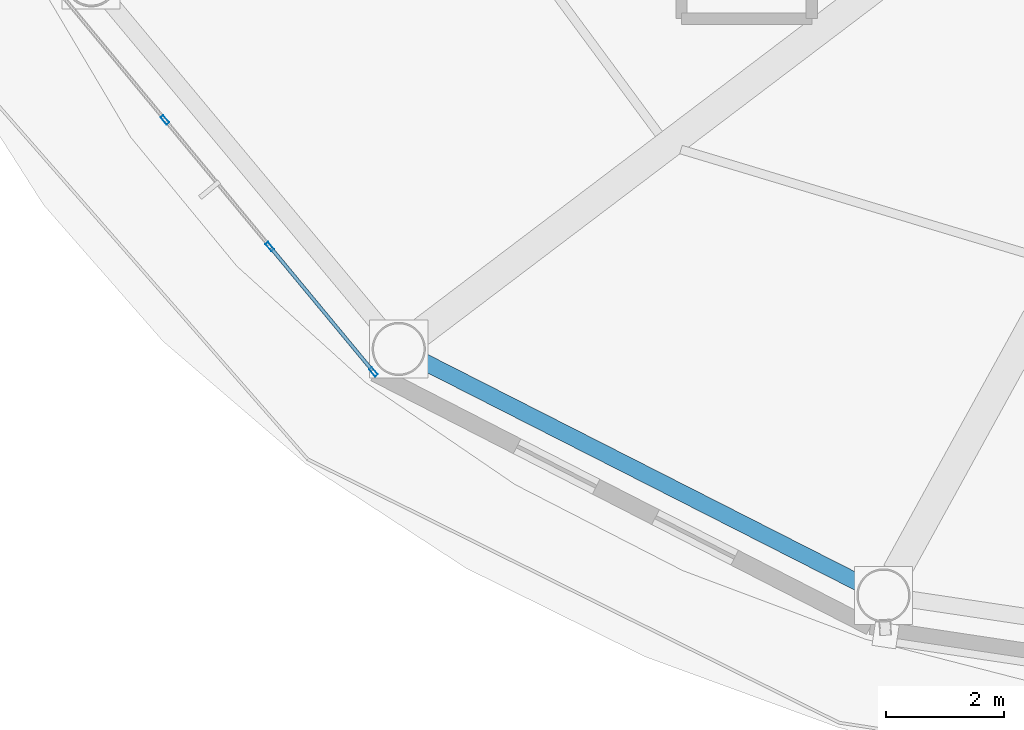
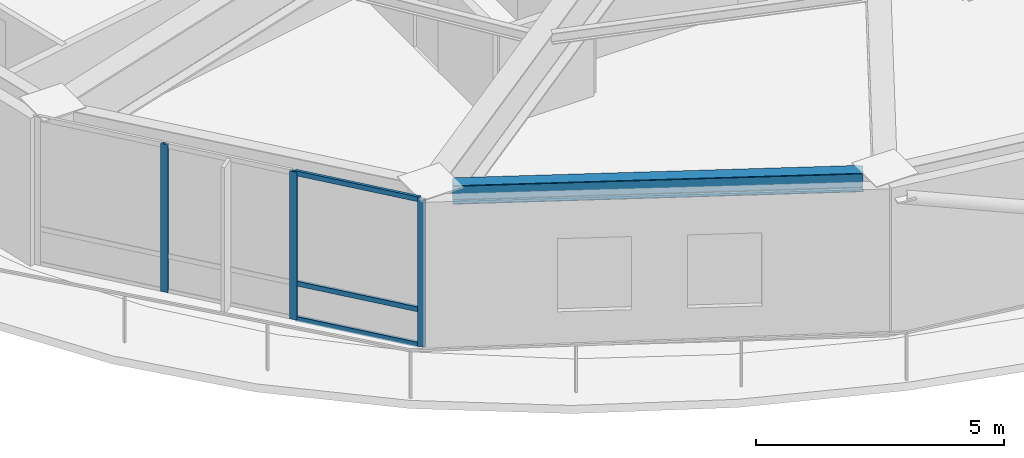
# One storey, part 2 of 24: 6 members, 1 beam, 1 element without a shape of its own.
"""IFC4 building model written with IfcOpenShell, lengths in metres."""

from ifc_helpers import new_model, si_unit, direction, frame, origin, origin_2d, place, context, subcontext, project, spatial, hollow_rectangle, i_section, extrude, material, layer, layer_set, material_profile, profile_set, type_object, element, aggregate, save


model = new_model("IFC4")

# Units and contexts
model_context = context("Model", 3, precision=1e-05, world=origin(), true_north=direction((0.0, 1.0)))
body_context = subcontext(model_context, "Body", "Model", "MODEL_VIEW")
ifc_project = project(units=[si_unit("LENGTHUNIT", "METRE"), si_unit("AREAUNIT", "SQUARE_METRE"), si_unit("VOLUMEUNIT", "CUBIC_METRE"), si_unit("PLANEANGLEUNIT", "RADIAN"), si_unit("MASSUNIT", "GRAM", prefix="KILO")], contexts=[model_context])

# Site, building, storey
site_placement = place(None, origin())
site = spatial("IfcSite", under=ifc_project, at=site_placement, CompositionType="ELEMENT")
building_placement = place(site_placement, origin())
building = spatial("IfcBuilding", under=site, at=building_placement, Name="Sarneth Arch Tower", CompositionType="ELEMENT")
storey_placement = place(building_placement, frame((0.0, 0.0, 312.60009765625)))
storey = spatial("IfcBuildingStorey", under=building, at=storey_placement, Name="L81", CompositionType="ELEMENT", Elevation=312.60009765625)

# Beam
ifc_material_1 = material(Name="Steel S355", Category="steel")
ifc_material_profile_1 = material_profile(ifc_material_1, i_section(OverallWidth=0.280029296875, OverallDepth=0.462890625, WebThickness=0.0107421875, FlangeThickness=0.017333984375, FilletRadius=0.01806640625, at=origin_2d()), Name="W460x113")
ifc_profile_set_1 = profile_set([ifc_material_profile_1], Name="Steel S355")
beam_type = type_object("IfcBeamType", Name="BM-RAD-460A", PredefinedType="BEAM", material=ifc_profile_set_1)
beam_placement = place(storey_placement, frame((30.42578125, 28.219482421875, 3.408447265625), z_axis=(0.891376248079, -0.453264144138, 0.0), x_axis=(0.453264144138, 0.891376248079, 0.0)))
element("IfcBeam", 1, at=beam_placement, inside=storey, type_object=beam_type, Name="L81 Perimeter spandrel beam 11", PredefinedType="BEAM", context=body_context, shape_type="SweptSolid", body=[
    extrude(i_section(OverallWidth=0.280029296875, OverallDepth=0.462890625, WebThickness=0.0107421875, FlangeThickness=0.017333984375, FilletRadius=0.01806640625, at=origin_2d()), origin(), (0.0, 0.0, 1.0), 8.281982421875),
])

# Curtain wall, members
ifc_material_2 = material(Name="Anodised aluminium Type AA25 and solar-control low-e laminated IGU", Category="aluminium")
ifc_layer = layer(ifc_material_2, 0.179931640625)
ifc_layer_set = layer_set([ifc_layer], Name="Anodised aluminium Type AA25 and solar-control low-e laminated IGU")
curtain_wall_type = type_object("IfcCurtainWallType", Name="CW-RES-HIGH", PredefinedType="NOTDEFINED", material=ifc_layer_set)
curtain_wall_placement = place(storey_placement, origin())
curtain_wall = element("IfcCurtainWall", 2, at=curtain_wall_placement, inside=storey, type_object=curtain_wall_type, Name="L81 Unitised curtain wall facet 10", PredefinedType="NOTDEFINED")
ifc_material_3 = material(Name="Anodised Aluminium 6063-T6", Category="aluminium")
ifc_material_profile_2 = material_profile(ifc_material_3, hollow_rectangle(XDim=0.06005859375, YDim=0.159912109375, WallThickness=0.00390625, at=origin_2d()), Name="AL-MULL-160x60x4")
ifc_profile_set_2 = profile_set([ifc_material_profile_2], Name="Anodised Aluminium 6063-T6")
member_type_1 = type_object("IfcMemberType", Name="CW-MULLION", PredefinedType="MULLION", material=ifc_profile_set_2)
member_1_placement = place(storey_placement, frame((26.07666015625, 32.29150390625, 0.0), z_axis=(0.0, 0.0, 1.0), x_axis=(0.770359245933, 0.637610094184, 0.0)))
member_1 = element("IfcMember", 3, at=member_1_placement, type_object=member_type_1, Name="CW-SYS-6 mullion 2", PredefinedType="MULLION", context=body_context, shape_type="SweptSolid", body=[
    extrude(hollow_rectangle(XDim=0.06005859375, YDim=0.159912109375, WallThickness=0.00390625, at=origin_2d()), origin(), (0.0, 0.0, 1.0), 3.639892578125),
])
member_2_placement = place(storey_placement, frame((27.84716796875, 30.15234375, 0.0), z_axis=(0.0, 0.0, 1.0), x_axis=(0.770359245933, 0.637610094184, 0.0)))
member_2 = element("IfcMember", 4, at=member_2_placement, type_object=member_type_1, Name="CW-SYS-6 mullion 3", PredefinedType="MULLION", context=body_context, shape_type="SweptSolid", body=[
    extrude(hollow_rectangle(XDim=0.06005859375, YDim=0.159912109375, WallThickness=0.00390625, at=origin_2d()), origin(), (0.0, 0.0, 1.0), 3.639892578125),
])
member_3_placement = place(storey_placement, frame((29.598388671875, 28.03662109375, 0.0), z_axis=(0.0, 0.0, 1.0), x_axis=(0.770359245933, 0.637610094184, 0.0)))
member_3 = element("IfcMember", 5, at=member_3_placement, type_object=member_type_1, Name="CW-SYS-6 mullion 4", PredefinedType="MULLION", context=body_context, shape_type="SweptSolid", body=[
    extrude(hollow_rectangle(XDim=0.06005859375, YDim=0.159912109375, WallThickness=0.00390625, at=origin_2d()), origin(), (0.0, 0.0, 1.0), 3.639892578125),
])
ifc_material_4 = material(Name="Anodised Aluminium 6063-T6", Category="aluminium")
ifc_material_profile_3 = material_profile(ifc_material_4, hollow_rectangle(XDim=0.06005859375, YDim=0.1201171875, WallThickness=0.00390625, at=origin_2d()), Name="AL-TRAN-120x60x4")
ifc_profile_set_3 = profile_set([ifc_material_profile_3], Name="Anodised Aluminium 6063-T6")
member_type_2 = type_object("IfcMemberType", Name="CW-TRANSOM", PredefinedType="USERDEFINED", material=ifc_profile_set_3)
member_4_placement = place(storey_placement, frame((27.8662109375, 30.12939453125, 0.02978515625), z_axis=(0.637606765719, -0.770362000821, 0.0), x_axis=(0.770362000821, 0.637606765719, 0.0)))
member_4 = element("IfcMember", 6, at=member_4_placement, type_object=member_type_2, Name="CW-SYS-6 transom 3.1", ObjectType="TRANSOM", PredefinedType="USERDEFINED", context=body_context, shape_type="SweptSolid", body=[
    extrude(hollow_rectangle(XDim=0.06005859375, YDim=0.1201171875, WallThickness=0.00390625, at=origin_2d()), origin(), (0.0, 0.0, 1.0), 2.686767578125),
])
member_5_placement = place(storey_placement, frame((27.8662109375, 30.12939453125, 0.89990234375), z_axis=(0.637606765719, -0.770362000821, 0.0), x_axis=(0.770362000821, 0.637606765719, 0.0)))
member_5 = element("IfcMember", 7, at=member_5_placement, type_object=member_type_2, Name="CW-SYS-6 transom 3.2", ObjectType="TRANSOM", PredefinedType="USERDEFINED", context=body_context, shape_type="SweptSolid", body=[
    extrude(hollow_rectangle(XDim=0.06005859375, YDim=0.1201171875, WallThickness=0.00390625, at=origin_2d()), origin(), (0.0, 0.0, 1.0), 2.686767578125),
])
member_6_placement = place(storey_placement, frame((27.8662109375, 30.12939453125, 3.60986328125), z_axis=(0.637606765719, -0.770362000821, 0.0), x_axis=(0.770362000821, 0.637606765719, 0.0)))
member_6 = element("IfcMember", 8, at=member_6_placement, type_object=member_type_2, Name="CW-SYS-6 transom 3.3", ObjectType="TRANSOM", PredefinedType="USERDEFINED", context=body_context, shape_type="SweptSolid", body=[
    extrude(hollow_rectangle(XDim=0.06005859375, YDim=0.1201171875, WallThickness=0.00390625, at=origin_2d()), origin(), (0.0, 0.0, 1.0), 2.686767578125),
])
aggregate(curtain_wall, [member_1, member_2, member_3, member_4, member_5, member_6])

save(model, "model.ifc")
